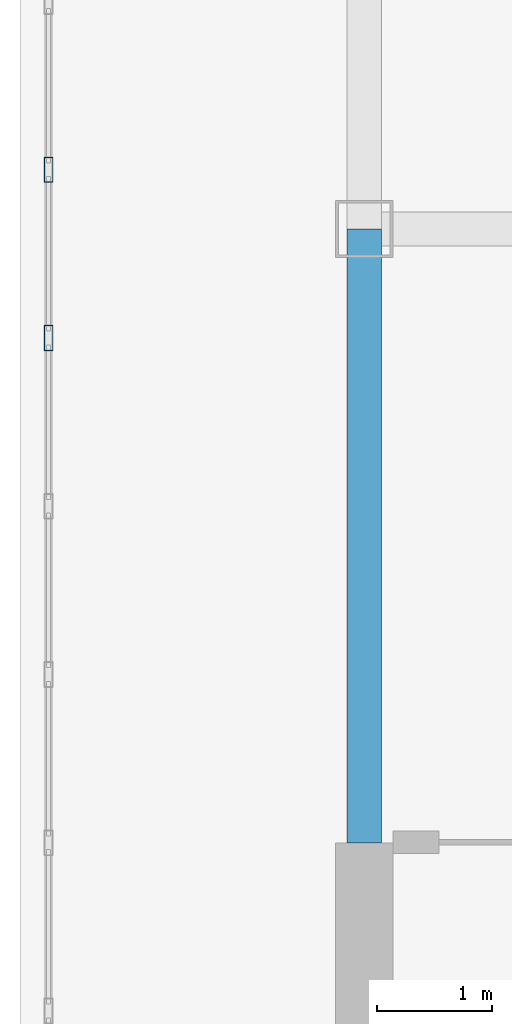
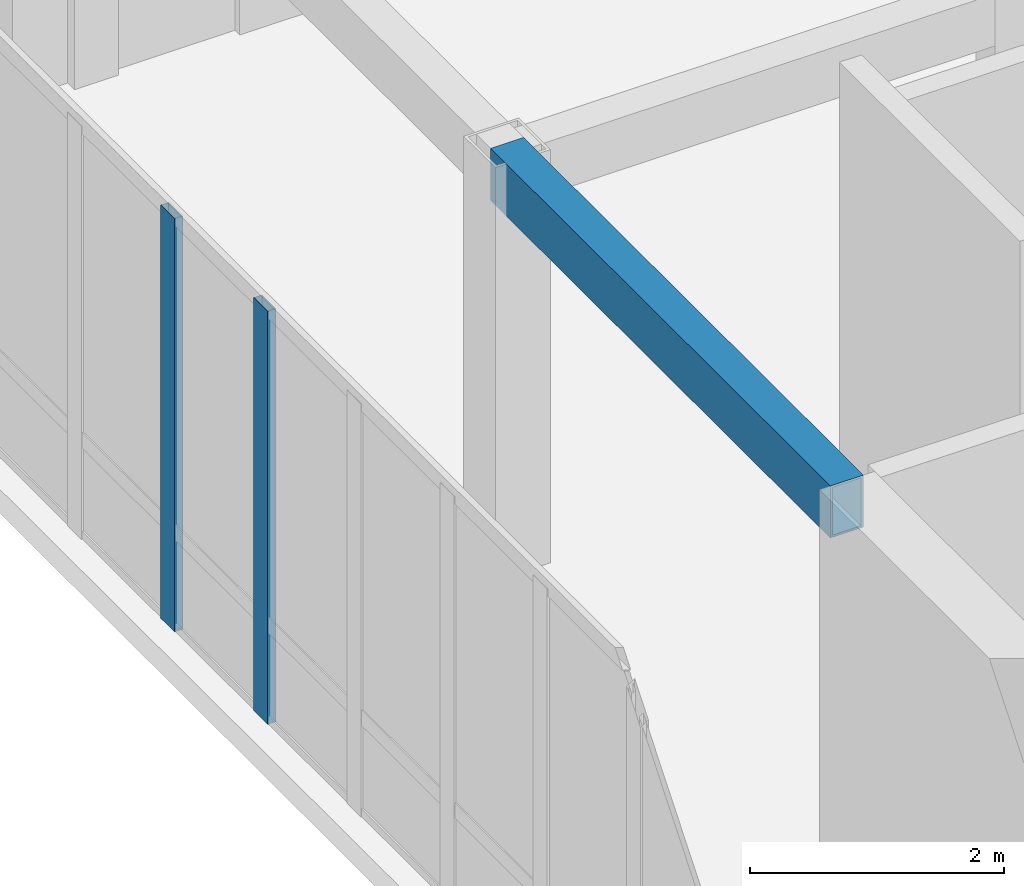
# One storey, part 4 of 13: 2 members, 1 beam, 1 element without a shape of its own.
"""IFC4 building model written with IfcOpenShell, lengths in metres."""

from ifc_helpers import new_model, si_unit, direction, frame, origin, origin_2d, place, context, subcontext, project, spatial, hollow_rectangle, extrude, source, transform, mapped, material, layer, layer_set, material_profile, profile_set, type_object, element, aggregate, save


model = new_model("IFC4")

# Units and contexts
model_context = context("Model", 3, precision=1e-05, world=origin(), true_north=direction((0.0, 1.0)))
body_context = subcontext(model_context, "Body", "Model", "MODEL_VIEW")
ifc_project = project(units=[si_unit("LENGTHUNIT", "METRE"), si_unit("AREAUNIT", "SQUARE_METRE"), si_unit("VOLUMEUNIT", "CUBIC_METRE"), si_unit("PLANEANGLEUNIT", "RADIAN"), si_unit("MASSUNIT", "GRAM", prefix="KILO")], contexts=[model_context])

# Site, building, storey
site_placement = place(None, origin())
site = spatial("IfcSite", under=ifc_project, at=site_placement, CompositionType="ELEMENT")
building_placement = place(site_placement, origin())
building = spatial("IfcBuilding", under=site, at=building_placement, Name="Kharzan Plaza Tower", CompositionType="ELEMENT")
storey_placement = place(building_placement, frame((0.0, 0.0, 281.39990234375)))
storey = spatial("IfcBuildingStorey", under=building, at=storey_placement, Name="L76-CROWN", CompositionType="ELEMENT", Elevation=281.39990234375)

# Beam
ifc_material_1 = material(Name="Steel S355", Category="steel")
ifc_material_profile_1 = material_profile(ifc_material_1, hollow_rectangle(XDim=0.300048828125, YDim=0.5, WallThickness=0.02001953125, at=origin_2d()), Name="RHS500x300x20")
ifc_profile_set_1 = profile_set([ifc_material_profile_1], Name="Steel S355")
beam_type = type_object("IfcBeamType", Name="BM-CRN500", PredefinedType="BEAM", material=ifc_profile_set_1)
shared_shape_1 = source(origin(), body_context, "Body", "SweptSolid", [
    extrude(hollow_rectangle(XDim=0.300048828125, YDim=0.5, WallThickness=0.02001953125, at=origin_2d()), origin(), (0.0, 0.0, 1.0), 5.35009765625),
])
beam_placement = place(storey_placement, frame((4.5, 12.64990234375, 3.72021484375), z_axis=(0.0, 1.0, 0.0), x_axis=(-1.0, 0.0, 0.0)))
element("IfcBeam", 1, at=beam_placement, inside=storey, type_object=beam_type, Name="L76-CROWN CROWN FRAME Lantern Ring Beam CRB-W1", PredefinedType="BEAM", context=body_context, shape_type="MappedRepresentation", body=[
    mapped(shared_shape_1, transform((0.0, 0.0, 0.0), x_axis=(1.0, 0.0, 0.0), y_axis=(0.0, 1.0, 0.0), z_axis=(0.0, 0.0, 1.0))),
])

# Curtain wall, members
ifc_material_2 = material(Name="Unitised Bronze-Anodized Aluminium and Low-E Glass", Category="aluminium")
ifc_layer = layer(ifc_material_2, 0.199951171875)
ifc_layer_set = layer_set([ifc_layer], Name="Unitised Bronze-Anodized Aluminium and Low-E Glass")
curtain_wall_type = type_object("IfcCurtainWallType", Name="CW-LANTERN-6", PredefinedType="NOTDEFINED", material=ifc_layer_set)
curtain_wall_placement = place(storey_placement, origin())
curtain_wall = element("IfcCurtainWall", 2, at=curtain_wall_placement, inside=storey, type_object=curtain_wall_type, Name="L76-CROWN Lantern Crown Illuminated Curtain Wall 4", PredefinedType="NOTDEFINED")
ifc_material_3 = material(Name="Anodized Bronze Aluminium", Category="aluminium")
ifc_material_profile_2 = material_profile(ifc_material_3, hollow_rectangle(XDim=0.074951171875, YDim=0.219970703125, WallThickness=0.00390625, at=origin_2d()), Name="ALU-M220x75x4")
ifc_profile_set_2 = profile_set([ifc_material_profile_2], Name="Anodized Bronze Aluminium")
member_type = type_object("IfcMemberType", Name="MEM-CW-MUL200", PredefinedType="MULLION", material=ifc_profile_set_2)
shared_shape_2 = source(origin(), body_context, "Body", "SweptSolid", [
    extrude(hollow_rectangle(XDim=0.074951171875, YDim=0.219970703125, WallThickness=0.00390625, at=origin_2d()), origin(), (0.0, 0.0, 1.0), 3.97021484375),
])
member_1_placement = place(storey_placement, frame((1.75, 18.5166015625, 0.0), z_axis=(0.0, 0.0, 1.0), x_axis=(1.0, 0.0, 0.0)))
member_1 = element("IfcMember", 3, at=member_1_placement, type_object=member_type, Name="L76-CROWN Curtain-Wall Mullion 11", PredefinedType="MULLION", context=body_context, shape_type="MappedRepresentation", body=[
    mapped(shared_shape_2, transform((0.0, 0.0, 0.0), x_axis=(1.0, 0.0, 0.0), y_axis=(0.0, 1.0, 0.0), z_axis=(0.0, 0.0, 1.0))),
])
member_2_placement = place(storey_placement, frame((1.75, 17.050048828125, 0.0), z_axis=(0.0, 0.0, 1.0), x_axis=(1.0, 0.0, 0.0)))
member_2 = element("IfcMember", 4, at=member_2_placement, type_object=member_type, Name="L76-CROWN Curtain-Wall Mullion 12", PredefinedType="MULLION", context=body_context, shape_type="MappedRepresentation", body=[
    mapped(shared_shape_2, transform((0.0, 0.0, 0.0), x_axis=(1.0, 0.0, 0.0), y_axis=(0.0, 1.0, 0.0), z_axis=(0.0, 0.0, 1.0))),
])
aggregate(curtain_wall, [member_1, member_2])

save(model, "model.ifc")
